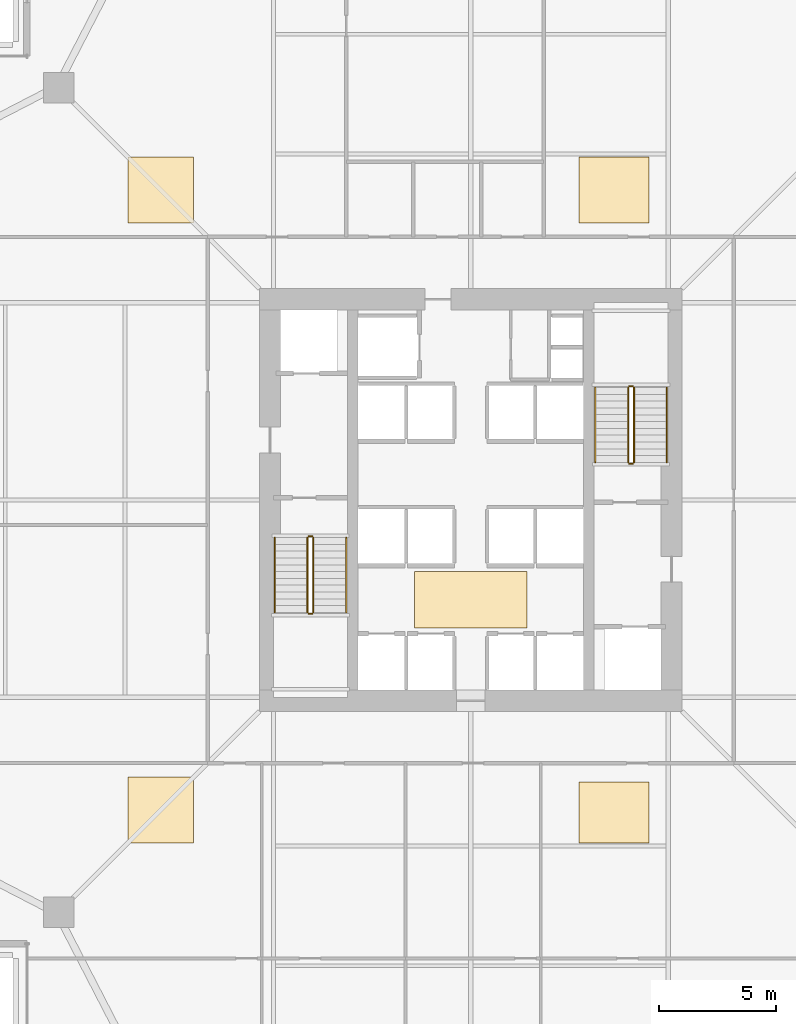
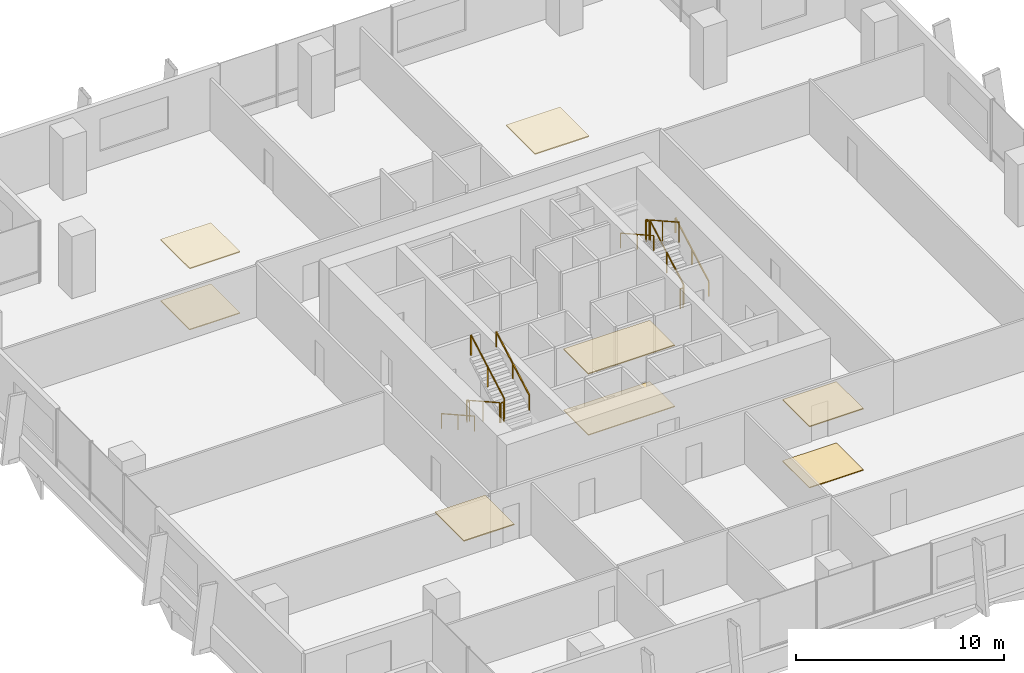
# One storey, part 34 of 34: 12 railings, 8 coverings.
"""IFC4 building model written with IfcOpenShell, lengths in metres."""

from ifc_helpers import new_model, si_unit, direction, frame, origin, origin_2d, place, context, subcontext, project, spatial, polyline, rectangle, outline, extrude, material, layer, layer_set, type_object, element, save


model = new_model("IFC4")

# Units and contexts
model_context = context("Model", 3, precision=1e-05, world=origin(), true_north=direction((0.0, 1.0)))
body_context = subcontext(model_context, "Body", "Model", "MODEL_VIEW")
ifc_project = project(units=[si_unit("LENGTHUNIT", "METRE"), si_unit("AREAUNIT", "SQUARE_METRE"), si_unit("VOLUMEUNIT", "CUBIC_METRE"), si_unit("PLANEANGLEUNIT", "RADIAN"), si_unit("MASSUNIT", "GRAM", prefix="KILO")], contexts=[model_context])

# Site, building, storey
site_placement = place(None, origin())
site = spatial("IfcSite", under=ifc_project, at=site_placement, CompositionType="ELEMENT")
building_placement = place(site_placement, origin())
building = spatial("IfcBuilding", under=site, at=building_placement, Name="Belovzor Exchange Tower", CompositionType="ELEMENT")
storey_placement = place(building_placement, frame((0.0, 0.0, 113.39990234375)))
storey = spatial("IfcBuildingStorey", under=building, at=storey_placement, Name="L27", CompositionType="ELEMENT", Elevation=113.39990234375)

# Railings
ifc_material_1 = material(Name="Stainless Steel Grade 304", Category="steel")
railing_type_1 = type_object("IfcRailingType", Name="Brushed Stainless Steel Stair Handrail 900", PredefinedType="HANDRAIL", material=ifc_material_1)
railing_1_placement = place(storey_placement, frame((20.449951171875, 27.199951171875, 0.16259765625)))
element("IfcRailing", 1, at=railing_1_placement, inside=storey, type_object=railing_type_1, Name="L27 ST-1 stair handrail 1", PredefinedType="HANDRAIL", context=body_context, shape_type="SweptSolid", body=[
    extrude(rectangle(XDim=0.048095703125, YDim=0.048095703125, at=origin_2d()), frame((0.0, 0.0, 0.8759765625), z_axis=(0.0, -0.8723625253, 0.488859514025), x_axis=(1.0, 0.0, 0.0)), (0.0, 0.0, 1.0), 3.65673828125),
    extrude(rectangle(XDim=0.0419921875, YDim=0.0419921875, at=origin_2d()), origin(), (0.0, 0.0, 1.0), 0.851806640625),
    extrude(rectangle(XDim=0.0419921875, YDim=0.0419921875, at=origin_2d()), frame((0.0, -1.594970703125, 0.893798828125)), (0.0, 0.0, 1.0), 0.851806640625),
    extrude(rectangle(XDim=0.0419921875, YDim=0.0419921875, at=origin_2d()), frame((0.0, -3.18994140625, 1.78759765625)), (0.0, 0.0, 1.0), 0.851806640625),
])
railing_2_placement = place(storey_placement, frame((23.5, 24.010009765625, 2.112548828125)))
element("IfcRailing", 2, at=railing_2_placement, inside=storey, type_object=railing_type_1, Name="L27 ST-1 stair handrail 2", PredefinedType="HANDRAIL", context=body_context, shape_type="SweptSolid", body=[
    extrude(rectangle(XDim=0.048095703125, YDim=0.048095703125, at=origin_2d()), frame((0.0, 0.0, 0.8759765625), z_axis=(0.0, 0.8723625253, 0.488859514025), x_axis=(-1.0, 0.0, 0.0)), (0.0, 0.0, 1.0), 3.65673828125),
    extrude(rectangle(XDim=0.0419921875, YDim=0.0419921875, at=origin_2d()), origin(), (0.0, 0.0, 1.0), 0.851806640625),
    extrude(rectangle(XDim=0.0419921875, YDim=0.0419921875, at=origin_2d()), frame((0.0, 1.594970703125, 0.893798828125)), (0.0, 0.0, 1.0), 0.851806640625),
    extrude(rectangle(XDim=0.0419921875, YDim=0.0419921875, at=origin_2d()), frame((0.0, 3.18994140625, 1.78759765625)), (0.0, 0.0, 1.0), 0.851806640625),
])
railing_3_placement = place(storey_placement, frame((37.14990234375, 30.39990234375, 0.16259765625)))
element("IfcRailing", 3, at=railing_3_placement, inside=storey, type_object=railing_type_1, Name="L27 ST-2 stair handrail 1", PredefinedType="HANDRAIL", context=body_context, shape_type="SweptSolid", body=[
    extrude(rectangle(XDim=0.048095703125, YDim=0.048095703125, at=origin_2d()), frame((0.0, 0.0, 0.8759765625), z_axis=(0.0, 0.87237847985, 0.488831042279), x_axis=(-1.0, 0.0, 0.0)), (0.0, 0.0, 1.0), 3.656982421875),
    extrude(rectangle(XDim=0.0419921875, YDim=0.0419921875, at=origin_2d()), origin(), (0.0, 0.0, 1.0), 0.851806640625),
    extrude(rectangle(XDim=0.0419921875, YDim=0.0419921875, at=origin_2d()), frame((0.0, 1.59521484375, 0.893798828125)), (0.0, 0.0, 1.0), 0.851806640625),
    extrude(rectangle(XDim=0.0419921875, YDim=0.0419921875, at=origin_2d()), frame((0.0, 3.190185546875, 1.78759765625)), (0.0, 0.0, 1.0), 0.851806640625),
])
railing_4_placement = place(storey_placement, frame((34.10009765625, 33.590087890625, 2.112548828125)))
element("IfcRailing", 4, at=railing_4_placement, inside=storey, type_object=railing_type_1, Name="L27 ST-2 stair handrail 2", PredefinedType="HANDRAIL", context=body_context, shape_type="SweptSolid", body=[
    extrude(rectangle(XDim=0.048095703125, YDim=0.048095703125, at=origin_2d()), frame((0.0, 0.0, 0.8759765625), z_axis=(0.0, -0.87237847985, 0.488831042279), x_axis=(1.0, 0.0, 0.0)), (0.0, 0.0, 1.0), 3.656982421875),
    extrude(rectangle(XDim=0.0419921875, YDim=0.0419921875, at=origin_2d()), origin(), (0.0, 0.0, 1.0), 0.851806640625),
    extrude(rectangle(XDim=0.0419921875, YDim=0.0419921875, at=origin_2d()), frame((0.0, -1.59521484375, 0.893798828125)), (0.0, 0.0, 1.0), 0.851806640625),
    extrude(rectangle(XDim=0.0419921875, YDim=0.0419921875, at=origin_2d()), frame((0.0, -3.190185546875, 1.78759765625)), (0.0, 0.0, 1.0), 0.851806640625),
])
ifc_material_2 = material(Name="Steel S355", Category="steel")
railing_type_2 = type_object("IfcRailingType", Name="Painted Steel Stairwell Guardrail 1200", PredefinedType="GUARDRAIL", material=ifc_material_2)
railing_5_placement = place(storey_placement, frame((21.85009765625, 27.199951171875, 0.16259765625)))
element("IfcRailing", 5, at=railing_5_placement, inside=storey, type_object=railing_type_2, Name="L27 ST-1 stair guard 1", PredefinedType="GUARDRAIL", context=body_context, shape_type="SweptSolid", body=[
    extrude(rectangle(XDim=0.048095703125, YDim=0.048095703125, at=origin_2d()), frame((0.0, 0.0, 1.17578125), z_axis=(0.0, -0.8723625253, 0.488859514025), x_axis=(1.0, 0.0, 0.0)), (0.0, 0.0, 1.0), 3.65673828125),
    extrude(rectangle(XDim=0.0419921875, YDim=0.0419921875, at=origin_2d()), origin(), (0.0, 0.0, 1.0), 1.15185546875),
    extrude(rectangle(XDim=0.0419921875, YDim=0.0419921875, at=origin_2d()), frame((0.0, -1.594970703125, 0.893798828125)), (0.0, 0.0, 1.0), 1.15185546875),
    extrude(rectangle(XDim=0.0419921875, YDim=0.0419921875, at=origin_2d()), frame((0.0, -3.18994140625, 1.78759765625)), (0.0, 0.0, 1.0), 1.15185546875),
])
railing_6_placement = place(storey_placement, frame((21.89990234375, 23.9599609375, 1.9501953125)))
element("IfcRailing", 6, at=railing_6_placement, inside=storey, type_object=railing_type_2, Name="L27 ST-1 stair guard 2", PredefinedType="GUARDRAIL", context=body_context, shape_type="SweptSolid", body=[
    extrude(rectangle(XDim=0.048095703125, YDim=0.048095703125, at=origin_2d()), frame((0.0, 0.0, 1.17578125), z_axis=(1.0, 0.0, 0.0), x_axis=(0.0, 1.0, 0.0)), (0.0, 0.0, 1.0), 0.150146484375),
    extrude(rectangle(XDim=0.0419921875, YDim=0.0419921875, at=origin_2d()), origin(), (0.0, 0.0, 1.0), 1.15185546875),
    extrude(rectangle(XDim=0.0419921875, YDim=0.0419921875, at=origin_2d()), frame((0.150146484375, 0.0, 0.0)), (0.0, 0.0, 1.0), 1.15185546875),
])
railing_7_placement = place(storey_placement, frame((22.10009765625, 24.010009765625, 2.112548828125)))
element("IfcRailing", 7, at=railing_7_placement, inside=storey, type_object=railing_type_2, Name="L27 ST-1 stair guard 3", PredefinedType="GUARDRAIL", context=body_context, shape_type="SweptSolid", body=[
    extrude(rectangle(XDim=0.048095703125, YDim=0.048095703125, at=origin_2d()), frame((0.0, 0.0, 1.17578125), z_axis=(0.0, 0.8723625253, 0.488859514025), x_axis=(-1.0, 0.0, 0.0)), (0.0, 0.0, 1.0), 3.65673828125),
    extrude(rectangle(XDim=0.0419921875, YDim=0.0419921875, at=origin_2d()), origin(), (0.0, 0.0, 1.0), 1.15185546875),
    extrude(rectangle(XDim=0.0419921875, YDim=0.0419921875, at=origin_2d()), frame((0.0, 1.594970703125, 0.893798828125)), (0.0, 0.0, 1.0), 1.15185546875),
    extrude(rectangle(XDim=0.0419921875, YDim=0.0419921875, at=origin_2d()), frame((0.0, 3.18994140625, 1.78759765625)), (0.0, 0.0, 1.0), 1.15185546875),
])
railing_8_placement = place(storey_placement, frame((21.89990234375, 27.25, 0.0)))
element("IfcRailing", 8, at=railing_8_placement, inside=storey, type_object=railing_type_2, Name="L27 ST-1 stair guard 4", PredefinedType="GUARDRAIL", context=body_context, shape_type="SweptSolid", body=[
    extrude(rectangle(XDim=0.048095703125, YDim=0.048095703125, at=origin_2d()), frame((0.0, 0.0, 1.17578125), z_axis=(1.0, 0.0, 0.0), x_axis=(0.0, 1.0, 0.0)), (0.0, 0.0, 1.0), 0.150146484375),
    extrude(rectangle(XDim=0.0419921875, YDim=0.0419921875, at=origin_2d()), origin(), (0.0, 0.0, 1.0), 1.15185546875),
    extrude(rectangle(XDim=0.0419921875, YDim=0.0419921875, at=origin_2d()), frame((0.150146484375, 0.0, 0.0)), (0.0, 0.0, 1.0), 1.15185546875),
])
railing_9_placement = place(storey_placement, frame((35.75, 30.39990234375, 0.16259765625)))
element("IfcRailing", 9, at=railing_9_placement, inside=storey, type_object=railing_type_2, Name="L27 ST-2 stair guard 1", PredefinedType="GUARDRAIL", context=body_context, shape_type="SweptSolid", body=[
    extrude(rectangle(XDim=0.048095703125, YDim=0.048095703125, at=origin_2d()), frame((0.0, 0.0, 1.17578125), z_axis=(0.0, 0.87237847985, 0.488831042279), x_axis=(-1.0, 0.0, 0.0)), (0.0, 0.0, 1.0), 3.656982421875),
    extrude(rectangle(XDim=0.0419921875, YDim=0.0419921875, at=origin_2d()), origin(), (0.0, 0.0, 1.0), 1.15185546875),
    extrude(rectangle(XDim=0.0419921875, YDim=0.0419921875, at=origin_2d()), frame((0.0, 1.59521484375, 0.893798828125)), (0.0, 0.0, 1.0), 1.15185546875),
    extrude(rectangle(XDim=0.0419921875, YDim=0.0419921875, at=origin_2d()), frame((0.0, 3.190185546875, 1.78759765625)), (0.0, 0.0, 1.0), 1.15185546875),
])
railing_10_placement = place(storey_placement, frame((35.699951171875, 33.639892578125, 1.9501953125)))
element("IfcRailing", 10, at=railing_10_placement, inside=storey, type_object=railing_type_2, Name="L27 ST-2 stair guard 2", PredefinedType="GUARDRAIL", context=body_context, shape_type="SweptSolid", body=[
    extrude(rectangle(XDim=0.048095703125, YDim=0.048095703125, at=origin_2d()), frame((0.0, 0.0, 1.17578125), z_axis=(-1.0, 0.0, 0.0), x_axis=(0.0, -1.0, 0.0)), (0.0, 0.0, 1.0), 0.14990234375),
    extrude(rectangle(XDim=0.0419921875, YDim=0.0419921875, at=origin_2d()), origin(), (0.0, 0.0, 1.0), 1.15185546875),
    extrude(rectangle(XDim=0.0419921875, YDim=0.0419921875, at=origin_2d()), frame((-0.14990234375, 0.0, 0.0)), (0.0, 0.0, 1.0), 1.15185546875),
])
railing_11_placement = place(storey_placement, frame((35.5, 33.590087890625, 2.112548828125)))
element("IfcRailing", 11, at=railing_11_placement, inside=storey, type_object=railing_type_2, Name="L27 ST-2 stair guard 3", PredefinedType="GUARDRAIL", context=body_context, shape_type="SweptSolid", body=[
    extrude(rectangle(XDim=0.048095703125, YDim=0.048095703125, at=origin_2d()), frame((0.0, 0.0, 1.17578125), z_axis=(0.0, -0.87237847985, 0.488831042279), x_axis=(1.0, 0.0, 0.0)), (0.0, 0.0, 1.0), 3.656982421875),
    extrude(rectangle(XDim=0.0419921875, YDim=0.0419921875, at=origin_2d()), origin(), (0.0, 0.0, 1.0), 1.15185546875),
    extrude(rectangle(XDim=0.0419921875, YDim=0.0419921875, at=origin_2d()), frame((0.0, -1.59521484375, 0.893798828125)), (0.0, 0.0, 1.0), 1.15185546875),
    extrude(rectangle(XDim=0.0419921875, YDim=0.0419921875, at=origin_2d()), frame((0.0, -3.190185546875, 1.78759765625)), (0.0, 0.0, 1.0), 1.15185546875),
])
railing_12_placement = place(storey_placement, frame((35.699951171875, 30.35009765625, 0.0)))
element("IfcRailing", 12, at=railing_12_placement, inside=storey, type_object=railing_type_2, Name="L27 ST-2 stair guard 4", PredefinedType="GUARDRAIL", context=body_context, shape_type="SweptSolid", body=[
    extrude(rectangle(XDim=0.048095703125, YDim=0.048095703125, at=origin_2d()), frame((0.0, 0.0, 1.17578125), z_axis=(-1.0, 0.0, 0.0), x_axis=(0.0, -1.0, 0.0)), (0.0, 0.0, 1.0), 0.14990234375),
    extrude(rectangle(XDim=0.0419921875, YDim=0.0419921875, at=origin_2d()), origin(), (0.0, 0.0, 1.0), 1.15185546875),
    extrude(rectangle(XDim=0.0419921875, YDim=0.0419921875, at=origin_2d()), frame((-0.14990234375, 0.0, 0.0)), (0.0, 0.0, 1.0), 1.15185546875),
])

# Coverings
ifc_material_3 = material(Name="Perforated Powder-Coated Aluminium", Category="aluminium")
ifc_layer_1 = layer(ifc_material_3, 0.06005859375)
ifc_layer_set_1 = layer_set([ifc_layer_1], Name="Perforated Powder-Coated Aluminium")
covering_type_1 = type_object("IfcCoveringType", Name="Perforated Acoustic Metal Tile Suspended Ceiling 60", PredefinedType="CEILING", material=ifc_layer_set_1)
covering_1_placement = place(storey_placement, frame((0.0, 0.0, 3.590087890625)))
element("IfcCovering", 13, at=covering_1_placement, inside=storey, type_object=covering_type_1, Name="CLG-AC60 Suspended Ceiling CLG-L27-LOB", PredefinedType="CEILING", context=body_context, shape_type="SweptSolid", body=[
    extrude(outline(polyline([(26.39990234375, 23.35009765625), (31.199951171875, 23.35009765625), (31.199951171875, 25.75), (26.39990234375, 25.75), (26.39990234375, 23.35009765625)])), origin(), (0.0, 0.0, 1.0), 0.06005859375),
])
covering_2_placement = place(storey_placement, frame((0.0, 0.0, 3.590087890625)))
element("IfcCovering", 14, at=covering_2_placement, inside=storey, type_object=covering_type_1, Name="CLG-AC60 Suspended Ceiling CLG-L27-Z0", PredefinedType="CEILING", context=body_context, shape_type="SweptSolid", body=[
    extrude(outline(polyline([(14.199951171875, 14.199951171875), (17.0, 14.199951171875), (17.0, 17.0), (14.199951171875, 17.0), (14.199951171875, 14.199951171875)])), origin(), (0.0, 0.0, 1.0), 0.06005859375),
])
covering_3_placement = place(storey_placement, frame((0.0, 0.0, 3.590087890625)))
element("IfcCovering", 15, at=covering_3_placement, inside=storey, type_object=covering_type_1, Name="CLG-AC60 Suspended Ceiling CLG-L27-Z1", PredefinedType="CEILING", context=body_context, shape_type="SweptSolid", body=[
    extrude(outline(polyline([(33.39990234375, 14.199951171875), (36.39990234375, 14.199951171875), (36.39990234375, 16.800048828125), (33.39990234375, 16.800048828125), (33.39990234375, 14.199951171875)])), origin(), (0.0, 0.0, 1.0), 0.06005859375),
])
covering_4_placement = place(storey_placement, frame((0.0, 0.0, 3.590087890625)))
element("IfcCovering", 16, at=covering_4_placement, inside=storey, type_object=covering_type_1, Name="CLG-AC60 Suspended Ceiling CLG-L27-Z2", PredefinedType="CEILING", context=body_context, shape_type="SweptSolid", body=[
    extrude(outline(polyline([(33.39990234375, 40.60009765625), (36.39990234375, 40.60009765625), (36.39990234375, 43.39990234375), (33.39990234375, 43.39990234375), (33.39990234375, 40.60009765625)])), origin(), (0.0, 0.0, 1.0), 0.06005859375),
])
covering_5_placement = place(storey_placement, frame((0.0, 0.0, 3.590087890625)))
element("IfcCovering", 17, at=covering_5_placement, inside=storey, type_object=covering_type_1, Name="CLG-AC60 Suspended Ceiling CLG-L27-Z3", PredefinedType="CEILING", context=body_context, shape_type="SweptSolid", body=[
    extrude(outline(polyline([(14.199951171875, 40.60009765625), (17.0, 40.60009765625), (17.0, 43.39990234375), (14.199951171875, 43.39990234375), (14.199951171875, 40.60009765625)])), origin(), (0.0, 0.0, 1.0), 0.06005859375),
])
ifc_material_4 = material(Name="Polished Natural Granite Tile", Category="masonry")
ifc_layer_2 = layer(ifc_material_4, 0.050048828125)
ifc_layer_set_2 = layer_set([ifc_layer_2], Name="Polished Natural Granite Tile")
covering_type_2 = type_object("IfcCoveringType", Name="Polished Karelian Granite & Raised Access Floor Finish 50", PredefinedType="FLOORING", material=ifc_layer_set_2)
covering_6_placement = place(storey_placement, origin())
element("IfcCovering", 18, at=covering_6_placement, inside=storey, type_object=covering_type_2, Name="FLR-GR50 Floor Finish FLR-L27-LOB", PredefinedType="FLOORING", context=body_context, shape_type="SweptSolid", body=[
    extrude(outline(polyline([(26.39990234375, 23.35009765625), (31.199951171875, 23.35009765625), (31.199951171875, 25.75), (26.39990234375, 25.75), (26.39990234375, 23.35009765625)])), origin(), (0.0, 0.0, 1.0), 0.050048828125),
])
covering_7_placement = place(storey_placement, origin())
element("IfcCovering", 19, at=covering_7_placement, inside=storey, type_object=covering_type_2, Name="FLR-GR50 Floor Finish FLR-L27-Z1", PredefinedType="FLOORING", context=body_context, shape_type="SweptSolid", body=[
    extrude(outline(polyline([(33.39990234375, 14.199951171875), (36.39990234375, 14.199951171875), (36.39990234375, 16.800048828125), (33.39990234375, 16.800048828125), (33.39990234375, 14.199951171875)])), origin(), (0.0, 0.0, 1.0), 0.050048828125),
])
covering_8_placement = place(storey_placement, origin())
element("IfcCovering", 20, at=covering_8_placement, inside=storey, type_object=covering_type_2, Name="FLR-GR50 Floor Finish FLR-L27-Z3", PredefinedType="FLOORING", context=body_context, shape_type="SweptSolid", body=[
    extrude(outline(polyline([(14.199951171875, 40.60009765625), (17.0, 40.60009765625), (17.0, 43.39990234375), (14.199951171875, 43.39990234375), (14.199951171875, 40.60009765625)])), origin(), (0.0, 0.0, 1.0), 0.050048828125),
])

save(model, "model.ifc")
